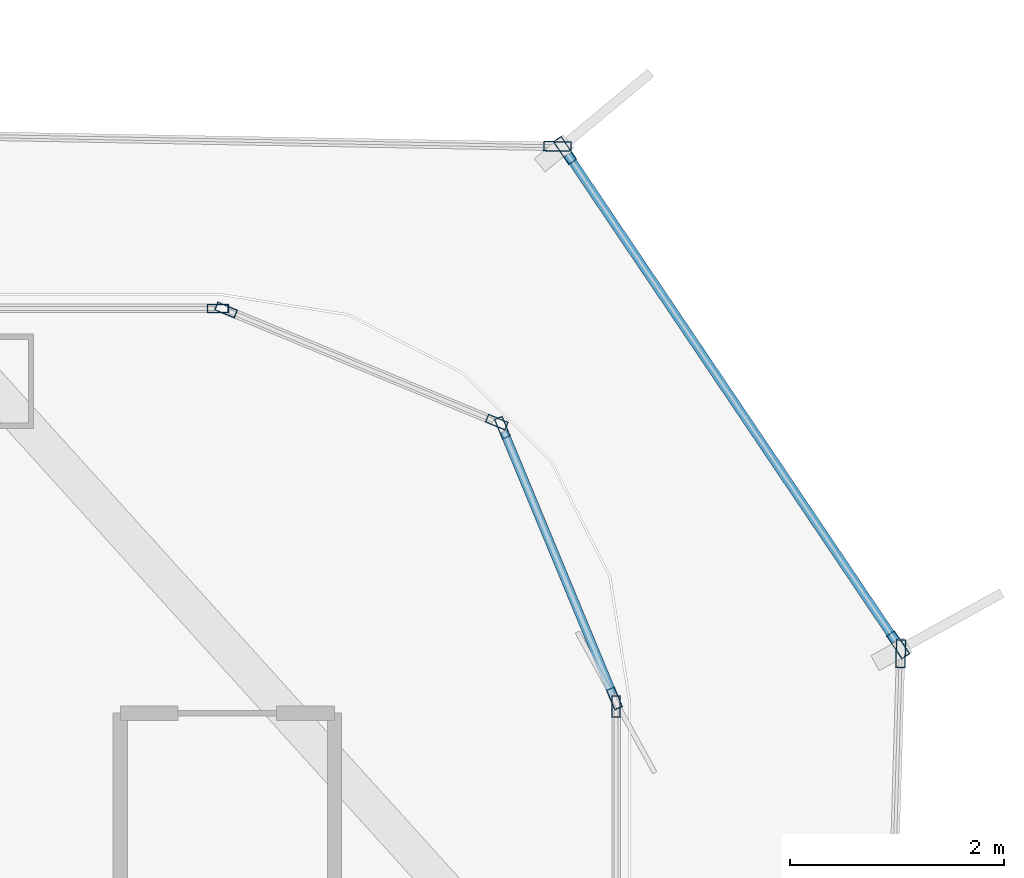
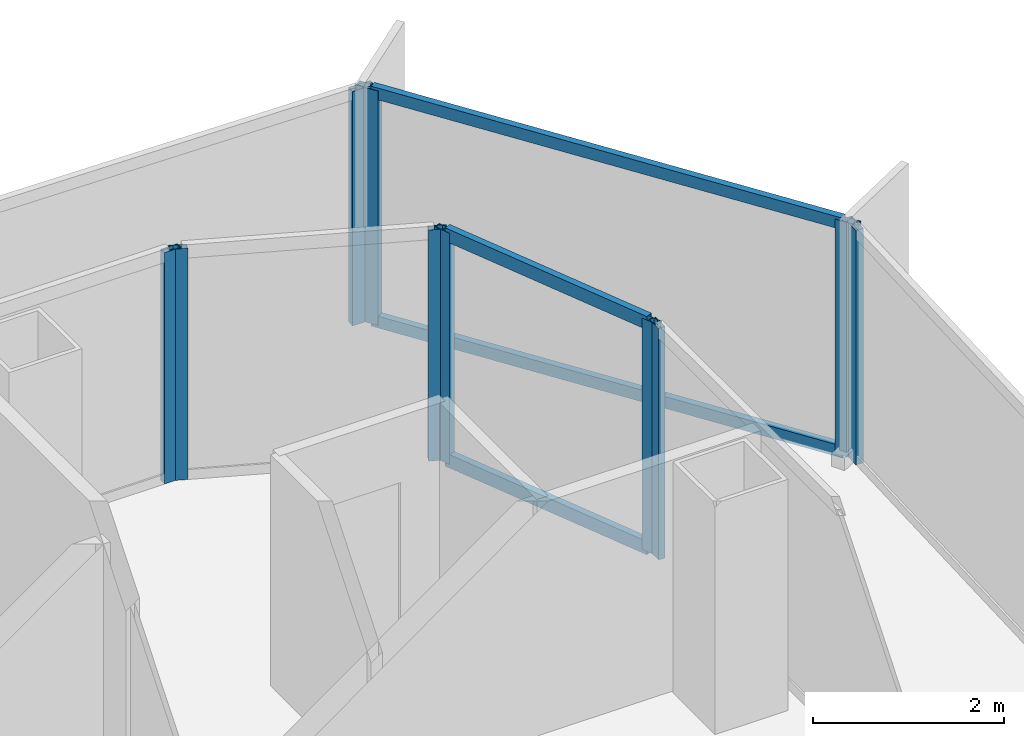
# One storey, part 14 of 21: 14 members, 7 elements without a shape of their own.
"""IFC4 building model written with IfcOpenShell, lengths in metres."""

from ifc_helpers import new_model, si_unit, direction, frame, origin, origin_2d, place, context, subcontext, project, spatial, hollow_rectangle, extrude, source, transform, mapped, material, layer, layer_set, material_profile, profile_set, type_object, element, aggregate, save


model = new_model("IFC4")

# Units and contexts
model_context = context("Model", 3, precision=1e-05, world=origin(), true_north=direction((0.0, 1.0)))
body_context = subcontext(model_context, "Body", "Model", "MODEL_VIEW")
ifc_project = project(units=[si_unit("LENGTHUNIT", "METRE"), si_unit("AREAUNIT", "SQUARE_METRE"), si_unit("VOLUMEUNIT", "CUBIC_METRE"), si_unit("PLANEANGLEUNIT", "RADIAN"), si_unit("MASSUNIT", "GRAM", prefix="KILO")], contexts=[model_context])

# Site, building, storey
site_placement = place(None, origin())
site = spatial("IfcSite", under=ifc_project, at=site_placement, CompositionType="ELEMENT")
building_placement = place(site_placement, origin())
building = spatial("IfcBuilding", under=site, at=building_placement, Name="Kolveth Station Tower", CompositionType="ELEMENT")
storey_placement = place(building_placement, frame((0.0, 0.0, 92.699951171875)))
storey = spatial("IfcBuildingStorey", under=building, at=storey_placement, Name="L24", CompositionType="ELEMENT", Elevation=92.699951171875)

# Curtain wall, member
ifc_material_1 = material(Name="Aluminium 6063-T6 and low-E dark glass", Category="aluminium")
ifc_layer_1 = layer(ifc_material_1, 0.18994140625)
ifc_layer_set_1 = layer_set([ifc_layer_1], Name="Aluminium 6063-T6 and low-E dark glass")
curtain_wall_type_1 = type_object("IfcCurtainWallType", Name="CurtainWall_CW-Z2", PredefinedType="NOTDEFINED", material=ifc_layer_set_1)
curtain_wall_1_placement = place(storey_placement, origin())
curtain_wall_1 = element("IfcCurtainWall", 1, at=curtain_wall_1_placement, inside=storey, type_object=curtain_wall_type_1, Name="L24 Inner Thermal Curtain Wall 3", PredefinedType="NOTDEFINED")
ifc_material_2 = material(Name="Black anodized aluminium 6063-T6", Category="aluminium")
ifc_material_profile_1 = material_profile(ifc_material_2, hollow_rectangle(XDim=0.080078125, YDim=0.199951171875, WallThickness=0.0048828125, at=origin_2d()), Name="ALU-80x200x5")
ifc_profile_set_1 = profile_set([ifc_material_profile_1], Name="Black anodized aluminium 6063-T6")
member_type_1 = type_object("IfcMemberType", Name="Mullion_ML2", PredefinedType="MULLION", material=ifc_profile_set_1)
shared_shape_1 = source(origin(), body_context, "Body", "SweptSolid", [
    extrude(hollow_rectangle(XDim=0.080078125, YDim=0.199951171875, WallThickness=0.0048828125, at=origin_2d()), origin(), (0.0, 0.0, 1.0), 2.949951171875),
])
member_1_placement = place(storey_placement, frame((46.8798828125, 31.4599609375, 0.0), z_axis=(0.0, 0.0, 1.0), x_axis=(-1.0, 0.0, 0.0)))
member_1 = element("IfcMember", 2, at=member_1_placement, type_object=member_type_1, Name="CW-Z2 mullion 2", PredefinedType="MULLION", context=body_context, shape_type="MappedRepresentation", body=[
    mapped(shared_shape_1, transform((0.0, 0.0, 0.0), x_axis=(1.0, 0.0, 0.0), y_axis=(0.0, 1.0, 0.0), z_axis=(0.0, 0.0, 1.0), scale=1.0)),
])
aggregate(curtain_wall_1, [member_1])

# Curtain wall, members
curtain_wall_2_placement = place(storey_placement, origin())
curtain_wall_2 = element("IfcCurtainWall", 3, at=curtain_wall_2_placement, inside=storey, type_object=curtain_wall_type_1, Name="L24 Inner Thermal Curtain Wall 4", PredefinedType="NOTDEFINED")
member_2_placement = place(storey_placement, frame((46.86474609375, 31.536865234375, 0.0), z_axis=(0.0, 0.0, 1.0), x_axis=(-0.923887883787, -0.38266326998, 0.0)))
member_2 = element("IfcMember", 4, at=member_2_placement, type_object=member_type_1, Name="CW-Z2 mullion 1", PredefinedType="MULLION", context=body_context, shape_type="MappedRepresentation", body=[
    mapped(shared_shape_1, transform((0.0, 0.0, 0.0), x_axis=(1.0, 0.0, 0.0), y_axis=(0.0, 1.0, 0.0), z_axis=(0.0, 0.0, 1.0), scale=1.0)),
])
member_3_placement = place(storey_placement, frame((45.817626953125, 34.065185546875, 0.0), z_axis=(0.0, 0.0, 1.0), x_axis=(-0.923887883787, -0.38266326998, 0.0)))
member_3 = element("IfcMember", 5, at=member_3_placement, type_object=member_type_1, Name="CW-Z2 mullion 2", PredefinedType="MULLION", context=body_context, shape_type="MappedRepresentation", body=[
    mapped(shared_shape_1, transform((0.0, 0.0, 0.0), x_axis=(1.0, 0.0, 0.0), y_axis=(0.0, 1.0, 0.0), z_axis=(0.0, 0.0, 1.0), scale=1.0)),
])

curtain_wall_3_placement = place(storey_placement, origin())
curtain_wall_3 = element("IfcCurtainWall", 6, at=curtain_wall_3_placement, inside=storey, type_object=curtain_wall_type_1, Name="L24 Inner Thermal Curtain Wall 5", PredefinedType="NOTDEFINED")
member_4_placement = place(storey_placement, frame((45.76513671875, 34.117431640625, 0.0), z_axis=(0.0, 0.0, 1.0), x_axis=(-0.38266326998, -0.923887883787, 0.0)))
member_4 = element("IfcMember", 7, at=member_4_placement, type_object=member_type_1, Name="CW-Z2 mullion 1", PredefinedType="MULLION", context=body_context, shape_type="MappedRepresentation", body=[
    mapped(shared_shape_1, transform((0.0, 0.0, 0.0), x_axis=(1.0, 0.0, 0.0), y_axis=(0.0, 1.0, 0.0), z_axis=(0.0, 0.0, 1.0), scale=1.0)),
])
member_5_placement = place(storey_placement, frame((43.237060546875, 35.164794921875, 0.0), z_axis=(0.0, 0.0, 1.0), x_axis=(-0.38266326998, -0.923887883787, 0.0)))
member_5 = element("IfcMember", 8, at=member_5_placement, type_object=member_type_1, Name="CW-Z2 mullion 2", PredefinedType="MULLION", context=body_context, shape_type="MappedRepresentation", body=[
    mapped(shared_shape_1, transform((0.0, 0.0, 0.0), x_axis=(1.0, 0.0, 0.0), y_axis=(0.0, 1.0, 0.0), z_axis=(0.0, 0.0, 1.0), scale=1.0)),
])
aggregate(curtain_wall_3, [member_4, member_5])

# Curtain wall, member
curtain_wall_4_placement = place(storey_placement, origin())
curtain_wall_4 = element("IfcCurtainWall", 9, at=curtain_wall_4_placement, inside=storey, type_object=curtain_wall_type_1, Name="L24 Inner Thermal Curtain Wall 6", PredefinedType="NOTDEFINED")
member_6_placement = place(storey_placement, frame((43.159912109375, 35.179931640625, 0.0), z_axis=(0.0, 0.0, 1.0), x_axis=(0.0, -1.0, 0.0)))
member_6 = element("IfcMember", 10, at=member_6_placement, type_object=member_type_1, Name="CW-Z2 mullion 1", PredefinedType="MULLION", context=body_context, shape_type="MappedRepresentation", body=[
    mapped(shared_shape_1, transform((0.0, 0.0, 0.0), x_axis=(1.0, 0.0, 0.0), y_axis=(0.0, 1.0, 0.0), z_axis=(0.0, 0.0, 1.0), scale=1.0)),
])
aggregate(curtain_wall_4, [member_6])

# Member
ifc_material_profile_2 = material_profile(ifc_material_2, hollow_rectangle(XDim=0.080078125, YDim=0.169921875, WallThickness=0.0048828125, at=origin_2d()), Name="ALU-80x170x5")
ifc_profile_set_2 = profile_set([ifc_material_profile_2], Name="Black anodized aluminium 6063-T6")
member_type_2 = type_object("IfcMemberType", Name="Transom_TR2", PredefinedType="USERDEFINED", material=ifc_profile_set_2)
shared_shape_2 = source(origin(), body_context, "Body", "SweptSolid", [
    extrude(hollow_rectangle(XDim=0.080078125, YDim=0.169921875, WallThickness=0.0048828125, at=origin_2d()), origin(), (0.0, 0.0, 1.0), 2.656494140625),
])
member_7_placement = place(storey_placement, frame((46.849365234375, 31.573974609375, 0.0400390625), z_axis=(-0.382676455475, 0.923882422403, 0.0), x_axis=(-0.923882422403, -0.382676455475, 0.0)))
member_7 = element("IfcMember", 11, at=member_7_placement, type_object=member_type_2, Name="CW-Z2 transom 1.1", ObjectType="TRANSOM", PredefinedType="USERDEFINED", context=body_context, shape_type="MappedRepresentation", body=[
    mapped(shared_shape_2, transform((0.0, 0.0, 0.0), x_axis=(1.0, 0.0, 0.0), y_axis=(0.0, 1.0, 0.0), z_axis=(0.0, 0.0, 1.0), scale=1.0)),
])

member_8_placement = place(storey_placement, frame((46.849365234375, 31.573974609375, 2.91015625), z_axis=(-0.382676455475, 0.923882422403, 0.0), x_axis=(-0.923882422403, -0.382676455475, 0.0)))
member_8 = element("IfcMember", 12, at=member_8_placement, type_object=member_type_2, Name="CW-Z2 transom 1.2", ObjectType="TRANSOM", PredefinedType="USERDEFINED", context=body_context, shape_type="MappedRepresentation", body=[
    mapped(shared_shape_2, transform((0.0, 0.0, 0.0), x_axis=(1.0, 0.0, 0.0), y_axis=(0.0, 1.0, 0.0), z_axis=(0.0, 0.0, 1.0), scale=1.0)),
])

aggregate(curtain_wall_2, [member_2, member_3, member_7, member_8])

# Curtain wall, member
ifc_material_3 = material(Name="Black anodized aluminium 6063-T6 and dark solar glass", Category="aluminium")
ifc_layer_2 = layer(ifc_material_3, 0.159912109375)
ifc_layer_set_2 = layer_set([ifc_layer_2], Name="Black anodized aluminium 6063-T6 and dark solar glass")
curtain_wall_type_2 = type_object("IfcCurtainWallType", Name="OUTER SKIN CW-OS", PredefinedType="NOTDEFINED", material=ifc_layer_set_2)
curtain_wall_5_placement = place(storey_placement, origin())
curtain_wall_5 = element("IfcCurtainWall", 13, at=curtain_wall_5_placement, inside=storey, type_object=curtain_wall_type_2, Name="L24 Outer Ventilated Skin Curtain Wall 2", PredefinedType="NOTDEFINED")
ifc_material_profile_3 = material_profile(ifc_material_2, hollow_rectangle(XDim=0.090087890625, YDim=0.260009765625, WallThickness=0.0048828125, at=origin_2d()), Name="ALU-90x260x5")
ifc_profile_set_3 = profile_set([ifc_material_profile_3], Name="Black anodized aluminium 6063-T6")
member_type_3 = type_object("IfcMemberType", Name="FIN MULLION ML-OS", PredefinedType="MULLION", material=ifc_profile_set_3)
shared_shape_3 = source(origin(), body_context, "Body", "SweptSolid", [
    extrude(hollow_rectangle(XDim=0.090087890625, YDim=0.260009765625, WallThickness=0.0048828125, at=origin_2d()), origin(), (0.0, 0.0, 1.0), 2.989990234375),
])
member_9_placement = place(storey_placement, frame((49.53857421875, 31.954833984375, 0.0), z_axis=(0.0, 0.0, 1.0), x_axis=(-0.999551789037, 0.029936950965, 0.0)))
member_9 = element("IfcMember", 14, at=member_9_placement, type_object=member_type_3, Name="CW-OS mullion 2", PredefinedType="MULLION", context=body_context, shape_type="MappedRepresentation", body=[
    mapped(shared_shape_3, transform((0.0, 0.0, 0.0), x_axis=(1.0, 0.0, 0.0), y_axis=(0.0, 1.0, 0.0), z_axis=(0.0, 0.0, 1.0), scale=1.0)),
])
aggregate(curtain_wall_5, [member_9])

# Curtain wall, members
curtain_wall_6_placement = place(storey_placement, origin())
curtain_wall_6 = element("IfcCurtainWall", 15, at=curtain_wall_6_placement, inside=storey, type_object=curtain_wall_type_2, Name="L24 Outer Ventilated Skin Curtain Wall 3", PredefinedType="NOTDEFINED")
member_10_placement = place(storey_placement, frame((49.514892578125, 32.037109375, 0.0), z_axis=(0.0, 0.0, 1.0), x_axis=(-0.829264113139, -0.558856896406, 0.0)))
member_10 = element("IfcMember", 16, at=member_10_placement, type_object=member_type_3, Name="CW-OS mullion 1", PredefinedType="MULLION", context=body_context, shape_type="MappedRepresentation", body=[
    mapped(shared_shape_3, transform((0.0, 0.0, 0.0), x_axis=(1.0, 0.0, 0.0), y_axis=(0.0, 1.0, 0.0), z_axis=(0.0, 0.0, 1.0), scale=1.0)),
])
member_11_placement = place(storey_placement, frame((46.402587890625, 36.655029296875, 0.0), z_axis=(0.0, 0.0, 1.0), x_axis=(-0.829264113139, -0.558856896406, 0.0)))
member_11 = element("IfcMember", 17, at=member_11_placement, type_object=member_type_3, Name="CW-OS mullion 2", PredefinedType="MULLION", context=body_context, shape_type="MappedRepresentation", body=[
    mapped(shared_shape_3, transform((0.0, 0.0, 0.0), x_axis=(1.0, 0.0, 0.0), y_axis=(0.0, 1.0, 0.0), z_axis=(0.0, 0.0, 1.0), scale=1.0)),
])

# Curtain wall, member
curtain_wall_7_placement = place(storey_placement, origin())
curtain_wall_7 = element("IfcCurtainWall", 18, at=curtain_wall_7_placement, inside=storey, type_object=curtain_wall_type_2, Name="L24 Outer Ventilated Skin Curtain Wall 4", PredefinedType="NOTDEFINED")
member_12_placement = place(storey_placement, frame((46.33251953125, 36.693115234375, 0.0), z_axis=(0.0, 0.0, 1.0), x_axis=(-0.017958260709, -0.999838737433, 0.0)))
member_12 = element("IfcMember", 19, at=member_12_placement, type_object=member_type_3, Name="CW-OS mullion 1", PredefinedType="MULLION", context=body_context, shape_type="MappedRepresentation", body=[
    mapped(shared_shape_3, transform((0.0, 0.0, 0.0), x_axis=(1.0, 0.0, 0.0), y_axis=(0.0, 1.0, 0.0), z_axis=(0.0, 0.0, 1.0), scale=1.0)),
])
aggregate(curtain_wall_7, [member_12])

# Member
ifc_material_profile_4 = material_profile(ifc_material_2, hollow_rectangle(XDim=0.080078125, YDim=0.14990234375, WallThickness=0.0048828125, at=origin_2d()), Name="ALU-80x150x5")
ifc_profile_set_4 = profile_set([ifc_material_profile_4], Name="Black anodized aluminium 6063-T6")
member_type_4 = type_object("IfcMemberType", Name="Transom_TR-OS", PredefinedType="USERDEFINED", material=ifc_profile_set_4)
shared_shape_4 = source(origin(), body_context, "Body", "SweptSolid", [
    extrude(hollow_rectangle(XDim=0.080078125, YDim=0.14990234375, WallThickness=0.0048828125, at=origin_2d()), origin(), (0.0, 0.0, 1.0), 5.47900390625),
])
member_13_placement = place(storey_placement, frame((49.48974609375, 32.07421875, 0.0400390625), z_axis=(-0.558868117313, 0.829256551045, 0.0), x_axis=(-0.829256551045, -0.558868117313, 0.0)))
member_13 = element("IfcMember", 20, at=member_13_placement, type_object=member_type_4, Name="CW-OS transom 1.1", ObjectType="TRANSOM", PredefinedType="USERDEFINED", context=body_context, shape_type="MappedRepresentation", body=[
    mapped(shared_shape_4, transform((0.0, 0.0, 0.0), x_axis=(1.0, 0.0, 0.0), y_axis=(0.0, 1.0, 0.0), z_axis=(0.0, 0.0, 1.0), scale=1.0)),
])

member_14_placement = place(storey_placement, frame((49.48974609375, 32.07421875, 2.949951171875), z_axis=(-0.558868117313, 0.829256551045, 0.0), x_axis=(-0.829256551045, -0.558868117313, 0.0)))
member_14 = element("IfcMember", 21, at=member_14_placement, type_object=member_type_4, Name="CW-OS transom 1.2", ObjectType="TRANSOM", PredefinedType="USERDEFINED", context=body_context, shape_type="MappedRepresentation", body=[
    mapped(shared_shape_4, transform((0.0, 0.0, 0.0), x_axis=(1.0, 0.0, 0.0), y_axis=(0.0, 1.0, 0.0), z_axis=(0.0, 0.0, 1.0), scale=1.0)),
])

aggregate(curtain_wall_6, [member_10, member_11, member_13, member_14])

save(model, "model.ifc")
